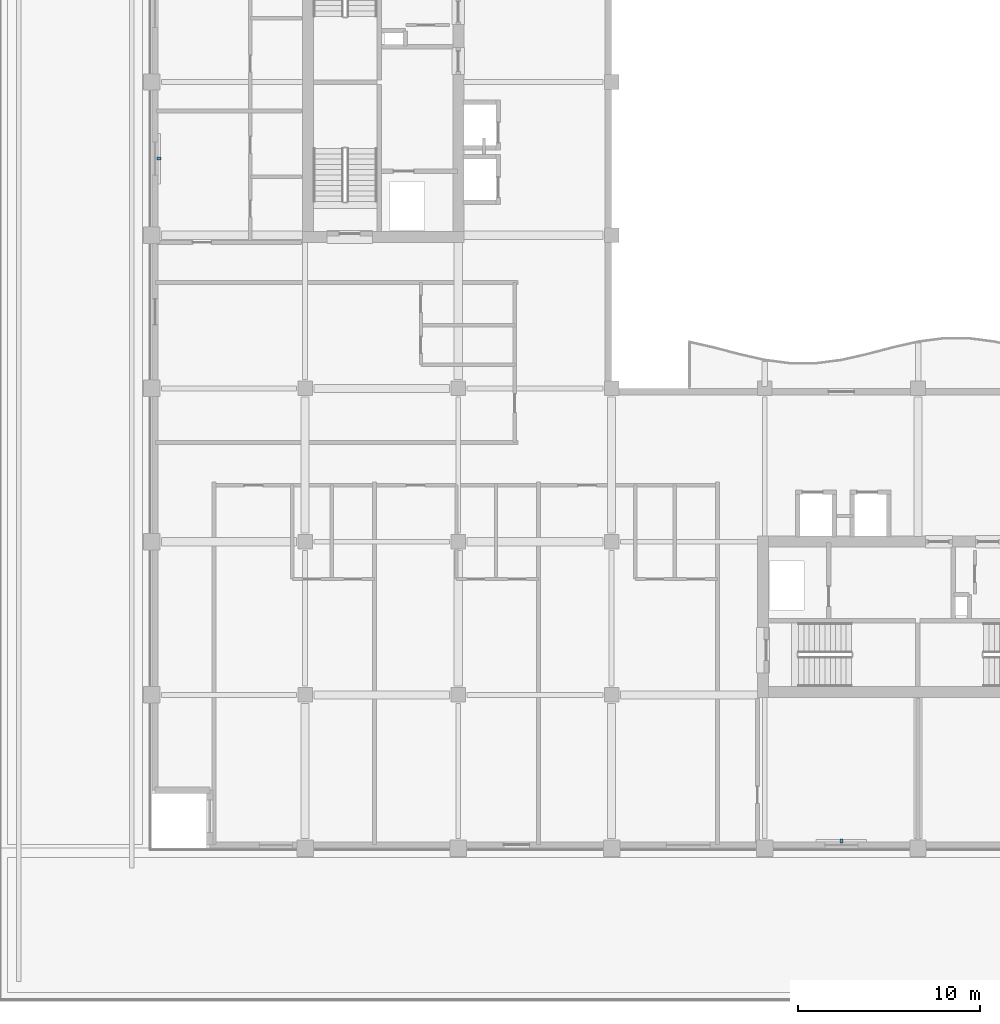
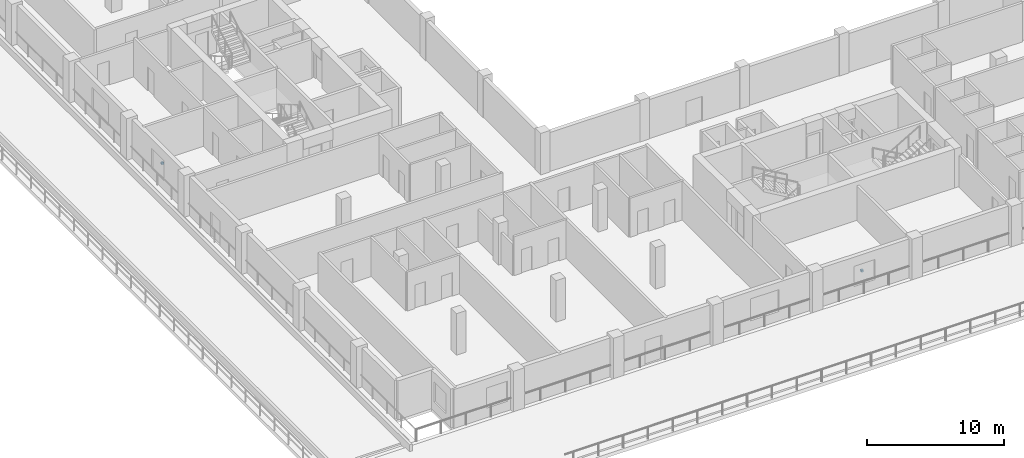
# One storey, part 8 of 13: 2 discrete accessories.
"""IFC4 building model written with IfcOpenShell, lengths in metres."""

import ifcopenshell
import ifcopenshell.guid

model = None  # the IFC model being written
_history = None  # IfcOwnerHistory: only IFC2X3 demands one
_inside = {}  # id of a spatial element -> (the spatial element, [elements in it])
_under = {}  # id of a project, library or spatial element -> (it, [spatial elements below it])
_declared = {}  # id of a project -> (the project, [libraries it declares])
_typed = {}  # id of a type object -> (the type object, [elements of that type])
_made_of = {}  # id of a material, layer set ... -> (it, [elements and type objects made of it])


def new_model(schema):
    """Start an empty IFC model of exactly this schema.

    Asked for "IFC4X3", IfcOpenShell would pick the latest addendum, in which some entities
    have other attributes; the version numbers below select the first issue.
    IFC2X3 requires an IfcOwnerHistory on every rooted entity: one is made here for all.
    """
    global model, _history
    if schema == "IFC4X3":
        model = ifcopenshell.file(schema_version=(4, 3, 0, 0))
    else:
        model = ifcopenshell.file(schema=schema)
    _inside.clear()
    _under.clear()
    _declared.clear()
    _typed.clear()
    _made_of.clear()
    _history = None
    if model.schema == "IFC2X3":
        org = make("IfcOrganization", Name="unknown")
        user = make(
            "IfcPersonAndOrganization",
            ThePerson=make("IfcPerson", FamilyName="unknown"),
            TheOrganization=org,
        )
        app = make(
            "IfcApplication",
            ApplicationDeveloper=org,
            Version="unknown",
            ApplicationFullName="unknown",
            ApplicationIdentifier="unknown",
        )
        _history = make(
            "IfcOwnerHistory",
            OwningUser=user,
            OwningApplication=app,
            ChangeAction="ADDED",
            CreationDate=0,
        )
    return model


def make(cls, **values):
    """One entity of the class cls with the attributes given. An attribute that is None is left unset."""
    return model.create_entity(
        cls, **{name: value for name, value in values.items() if value is not None}
    )


def rooted(cls, **values):
    """An entity with a GlobalId (a new one), such as an element, a storey or a relation."""
    return make(cls, GlobalId=ifcopenshell.guid.new(), OwnerHistory=_history, **values)


def si_unit(unit_type, name, prefix=None):
    """IfcSIUnit, for example si_unit("LENGTHUNIT", "METRE", prefix="MILLI")."""
    return make("IfcSIUnit", UnitType=unit_type, Prefix=prefix, Name=name)


def assignment(units):
    """IfcUnitAssignment: the units of a project."""
    return None if units is None else make("IfcUnitAssignment", Units=units)


def point(xyz):
    """IfcCartesianPoint."""
    return None if xyz is None else make("IfcCartesianPoint", Coordinates=xyz)


def direction(xyz):
    """IfcDirection."""
    return None if xyz is None else make("IfcDirection", DirectionRatios=xyz)


def frame(location, z_axis=None, x_axis=None):
    """IfcAxis2Placement3D, a coordinate frame: its origin and axes. An axis left out is left unset."""
    return make(
        "IfcAxis2Placement3D",
        Location=point(location),
        Axis=direction(z_axis),
        RefDirection=direction(x_axis),
    )


def frame_2d(location, x_axis=None):
    """IfcAxis2Placement2D, a coordinate frame in the plane: its origin and x axis."""
    return make(
        "IfcAxis2Placement2D", Location=point(location), RefDirection=direction(x_axis)
    )


def origin():
    """The frame at (0, 0, 0) with its axes left unset."""
    return frame((0.0, 0.0, 0.0))


def origin_2d():
    """The frame at (0, 0) in the plane with its x axis left unset."""
    return frame_2d((0.0, 0.0))


def place(relative_to, where):
    """IfcLocalPlacement: puts the frame where relative to a parent placement (None: the world)."""
    return make(
        "IfcLocalPlacement", PlacementRelTo=relative_to, RelativePlacement=where
    )


def context(
    kind, dimensions, precision=None, world=None, true_north=None, identifier=None
):
    """IfcGeometricRepresentationContext, for example the 3D "Model" context."""
    return make(
        "IfcGeometricRepresentationContext",
        ContextIdentifier=identifier,
        ContextType=kind,
        CoordinateSpaceDimension=dimensions,
        Precision=precision,
        WorldCoordinateSystem=world,
        TrueNorth=true_north,
    )


def subcontext(parent, identifier, kind, view, scale=None):
    """IfcGeometricRepresentationSubContext, for example "Body" below "Model"."""
    return make(
        "IfcGeometricRepresentationSubContext",
        ContextIdentifier=identifier,
        ContextType=kind,
        ParentContext=parent,
        TargetScale=scale,
        TargetView=view,
    )


def project(units=None, contexts=None):
    """IfcProject with its units and contexts."""
    return rooted(
        "IfcProject",
        Name="project",
        RepresentationContexts=contexts,
        UnitsInContext=assignment(units),
    )


def spatial(cls, under=None, at=None, **own):
    """A site, building, storey or space (cls), placed at a placement, below another one or the project."""
    s = rooted(cls, ObjectPlacement=at, **own)
    if under is not None:
        _under.setdefault(under.id(), (under, []))[1].append(s)
    return s


def profile(cls, at=None, kind="AREA", **sizes):
    """A parametric profile (cls). Its sizes go by their IFC names, for example OverallWidth=200.0."""
    return make(cls, ProfileType=kind, Position=at, **sizes)


def rectangle(**sizes):
    """IfcRectangleProfileDef."""
    return profile("IfcRectangleProfileDef", **sizes)


def extrude(swept, where, along, depth):
    """IfcExtrudedAreaSolid: the profile swept, set in the frame where, extruded along a direction by depth."""
    return make(
        "IfcExtrudedAreaSolid",
        SweptArea=swept,
        Position=where,
        ExtrudedDirection=direction(along),
        Depth=depth,
    )


def shape(context_of_items, identifier, shape_type, items):
    """IfcShapeRepresentation: the items that make up one representation, for example the "Body"."""
    return make(
        "IfcShapeRepresentation",
        ContextOfItems=context_of_items,
        RepresentationIdentifier=identifier,
        RepresentationType=shape_type,
        Items=items,
    )


def material(Name=None, Category=None):
    """IfcMaterial."""
    return make("IfcMaterial", Name=Name, Category=Category)


def made_of(thing, what):
    """Note that an element or type object is made of a material, layer set ...; save() writes the relation."""
    if what is not None:
        _made_of.setdefault(what.id(), (what, []))[1].append(thing)
    return thing


def type_object(cls, material=None, **own):
    """A type object (cls), such as IfcWallType, which elements share."""
    return made_of(rooted(cls, **own), material)


def element(
    cls,
    number,
    at=None,
    inside=None,
    cuts=None,
    type_object=None,
    material=None,
    context=None,
    identifier="Body",
    shape_type=None,
    held_by="IfcProductDefinitionShape",
    body=None,
    shapes=None,
    **own,
):
    """One element of the class cls, such as IfcWall. Its Tag is "e" and its number.

    at: its placement. inside: the storey or other place that contains it. cuts: it is an
    opening in that element (IfcRelVoidsElement). A single representation is given by context,
    identifier, shape_type and body (its items); several are given by shapes. held_by: the class
    of the entity that holds the representations. save() writes the other relations.
    """
    e = rooted(cls, Tag="e%d" % number, ObjectPlacement=at, **own)
    if body is not None:
        shapes = [shape(context, identifier, shape_type, body)]
    if shapes is not None:
        e.Representation = make(held_by, Representations=shapes)
    if inside is not None:
        _inside.setdefault(inside.id(), (inside, []))[1].append(e)
    if cuts is not None:
        rooted(
            "IfcRelVoidsElement", RelatingBuildingElement=cuts, RelatedOpeningElement=e
        )
    if type_object is not None:
        _typed.setdefault(type_object.id(), (type_object, []))[1].append(e)
    return made_of(e, material)


def aggregate(whole, parts):
    """IfcRelAggregates: a whole, such as a stair, and the parts it consists of."""
    return rooted("IfcRelAggregates", RelatingObject=whole, RelatedObjects=parts)


def save(model, path):
    """Write the relations noted so far, then the file.

    IfcRelAggregates (storeys below a building ...), IfcRelContainedInSpatialStructure (elements
    in a storey), IfcRelDefinesByType, IfcRelAssociatesMaterial and IfcRelDeclares: one each for
    every whole, place, type object, material and project.
    """
    for whole, parts in _under.values():
        aggregate(whole, parts)
    for where, things in _inside.values():
        rooted(
            "IfcRelContainedInSpatialStructure",
            RelatedElements=things,
            RelatingStructure=where,
        )
    for kind, things in _typed.values():
        rooted("IfcRelDefinesByType", RelatedObjects=things, RelatingType=kind)
    for what, things in _made_of.values():
        rooted("IfcRelAssociatesMaterial", RelatedObjects=things, RelatingMaterial=what)
    for by, libraries in _declared.values():
        rooted("IfcRelDeclares", RelatingContext=by, RelatedDefinitions=libraries)
    model.write(path)


model = new_model("IFC4")

# Units and contexts
model_context = context("Model", 3, precision=1e-05, world=origin(), true_north=direction((0.0, 1.0)))
body_context = subcontext(model_context, "Body", "Model", "MODEL_VIEW")
ifc_project = project(units=[si_unit("LENGTHUNIT", "METRE"), si_unit("AREAUNIT", "SQUARE_METRE"), si_unit("VOLUMEUNIT", "CUBIC_METRE"), si_unit("PLANEANGLEUNIT", "RADIAN"), si_unit("MASSUNIT", "GRAM", prefix="KILO")], contexts=[model_context])

# Site, building, storey
site_placement = place(None, origin())
site = spatial("IfcSite", under=ifc_project, at=site_placement, CompositionType="ELEMENT")
building_placement = place(site_placement, origin())
building = spatial("IfcBuilding", under=site, at=building_placement, Name="Koriwani Terraces Tower", CompositionType="ELEMENT")
storey_placement = place(building_placement, frame((0.0, 0.0, 234.199951171875)))
storey = spatial("IfcBuildingStorey", under=building, at=storey_placement, Name="L57", CompositionType="ELEMENT", Elevation=234.199951171875)

# Discrete accessories
ifc_material = material(Name="Steel ASTM A572 Grade 50", Category="steel")
discrete_accessory_type = type_object("IfcDiscreteAccessoryType", Name="BAGUETTE_STANDOFF_BRACKET", PredefinedType="BRACKET", material=ifc_material)
for number, where, z_axis, x_axis, name in (
    (1, (8.7900390625, 46.199951171875, 1.64501953125), (0.0, 0.0, 1.0), (0.0, 1.0, 0.0), "L57 Terracotta Baguette Bracket (W-12)"),
    (2, (46.199951171875, 8.7900390625, 1.64501953125), (0.0, 0.0, 1.0), (-1.0, 0.0, 0.0), "L57 Terracotta Baguette Bracket (S-12)"),
):
    element("IfcDiscreteAccessory", number, at=place(storey_placement, frame(where, z_axis=z_axis, x_axis=x_axis)), inside=storey, type_object=discrete_accessory_type, Name=name, PredefinedType="BRACKET", context=body_context, shape_type="SweptSolid", body=[
        extrude(rectangle(XDim=0.159912109375, YDim=0.199951171875, at=origin_2d()), origin(), (0.0, 0.0, 1.0), 0.179931640625),
    ])

save(model, "model.ifc")
